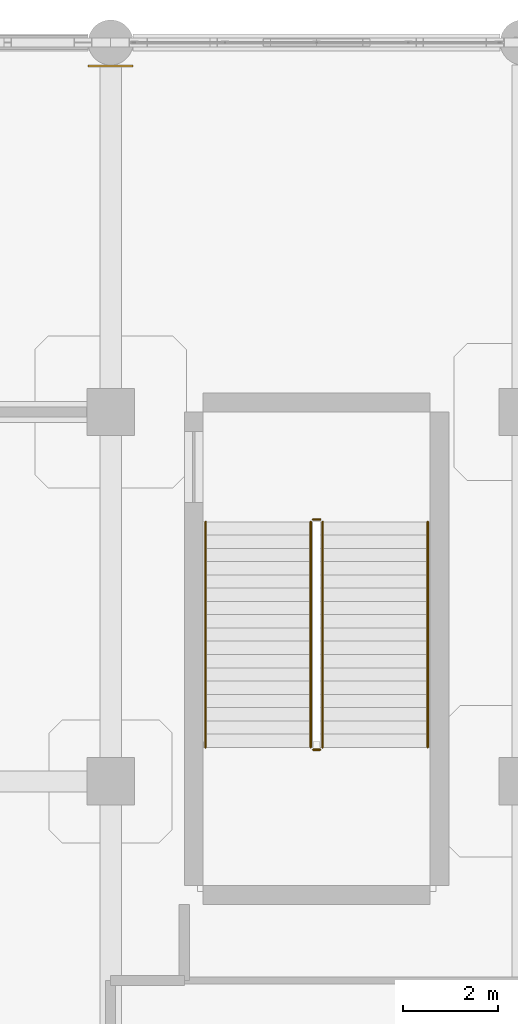
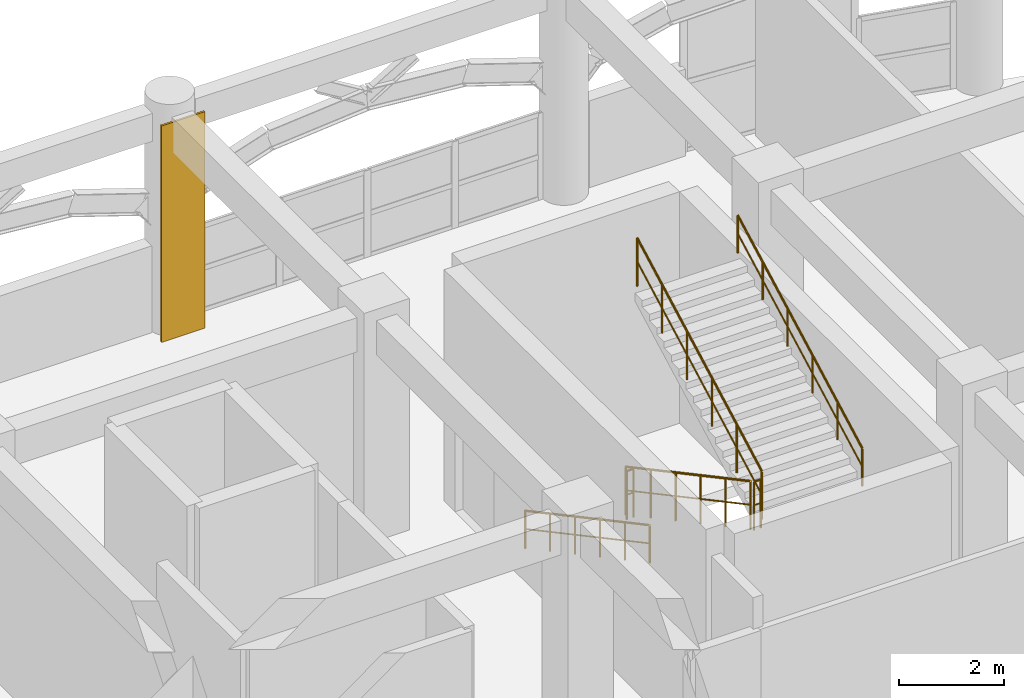
# One storey, part 112 of 114: 6 railings, 1 covering.
"""IFC4 building model written with IfcOpenShell, lengths in metres."""

from ifc_helpers import new_model, si_unit, derived_unit, direction, frame, origin, origin_2d, place, context, subcontext, project, spatial, rectangle, circle, extrude, material, layer, layer_set, type_object, element, save


model = new_model("IFC4")

# Units and contexts
model_context = context("Model", 3, precision=1e-05, world=origin(), true_north=direction((0.0, 1.0)))
body_context = subcontext(model_context, "Body", "Model", "MODEL_VIEW")
ifc_project = project(units=[si_unit("LENGTHUNIT", "METRE"), si_unit("AREAUNIT", "SQUARE_METRE"), si_unit("VOLUMEUNIT", "CUBIC_METRE"), si_unit("PLANEANGLEUNIT", "RADIAN"), si_unit("MASSUNIT", "GRAM", prefix="KILO"), derived_unit("THERMALTRANSMITTANCEUNIT", [(si_unit("MASSUNIT", "GRAM", prefix="KILO"), 1), (si_unit("TIMEUNIT", "SECOND"), -3), (si_unit("THERMODYNAMICTEMPERATUREUNIT", "KELVIN"), -1)])], contexts=[model_context])

# Site, building, storey
site_placement = place(None, origin())
site = spatial("IfcSite", under=ifc_project, at=site_placement, CompositionType="ELEMENT")
building_placement = place(site_placement, origin())
building = spatial("IfcBuilding", under=site, at=building_placement, Name="Qinzheling Arcade Emporium", CompositionType="ELEMENT")
storey_placement = place(building_placement, frame((0.0, 0.0, 6.0)))
storey = spatial("IfcBuildingStorey", under=building, at=storey_placement, Name="L02", CompositionType="ELEMENT", Elevation=6.0)

# Covering
ifc_material_1 = material(Name="Glazed cream terracotta rainscreen cladding", Category="masonry")
ifc_layer = layer(ifc_material_1, 0.044921875, Name="Glazed cream terracotta rainscreen cladding", Category="masonry")
ifc_layer_set = layer_set([ifc_layer], Name="Glazed cream terracotta rainscreen cladding")
covering_type = type_object("IfcCoveringType", Name="Glazed Terracotta Pier Cladding Casing 45", PredefinedType="CLADDING", material=ifc_layer_set)
covering_placement = place(storey_placement, frame((113.10009765625, 114.10009765625, 0.0), z_axis=(0.0, 0.0, 1.0), x_axis=(1.0, 0.0, 0.0)))
element("IfcCovering", 1, at=covering_placement, inside=storey, type_object=covering_type, Name="Terracotta Pier Cladding L02 7", PredefinedType="CLADDING", context=body_context, shape_type="SweptSolid", body=[
    extrude(rectangle(XDim=0.949951171875, YDim=0.044921875, at=origin_2d()), origin(), (0.0, 0.0, 1.0), 5.050048828125),
])

# Railings
ifc_material_2 = material(Name="Galvanised powder-coated tubular steel", Category="steel")
railing_type_1 = type_object("IfcRailingType", Name="Painted Steel Stairwell Guard Railing 1150", PredefinedType="GUARDRAIL", material=ifc_material_2)
railing_1_placement = place(storey_placement, frame((117.324951171875, 104.47998046875, 0.14990234375)))
element("IfcRailing", 2, at=railing_1_placement, inside=storey, type_object=railing_type_1, Name="L02 ST08 stair guard 1", PredefinedType="GUARDRAIL", context=body_context, shape_type="SweptSolid", body=[
    extrude(circle(Radius=0.02392578125, at=origin_2d()), frame((0.0, 0.0, 1.1259765625), z_axis=(0.0, -0.881476609435, 0.47222768557), x_axis=(1.0, 0.0, 0.0)), (0.0, 0.0, 1.0), 5.400146484375),
    extrude(circle(Radius=0.01611328125, at=origin_2d()), frame((0.0, 0.0, 0.574951171875), z_axis=(0.0, -0.881476609435, 0.47222768557), x_axis=(1.0, 0.0, 0.0)), (0.0, 0.0, 1.0), 5.400146484375),
    extrude(circle(Radius=0.02099609375, at=origin_2d()), origin(), (0.0, 0.0, 1.0), 1.101806640625),
    extrude(circle(Radius=0.02099609375, at=origin_2d()), frame((0.0, -0.951904296875, 0.510009765625)), (0.0, 0.0, 1.0), 1.101806640625),
    extrude(circle(Radius=0.02099609375, at=origin_2d()), frame((0.0, -1.904052734375, 1.02001953125)), (0.0, 0.0, 1.0), 1.101806640625),
    extrude(circle(Radius=0.02099609375, at=origin_2d()), frame((0.0, -2.85595703125, 1.530029296875)), (0.0, 0.0, 1.0), 1.101806640625),
    extrude(circle(Radius=0.02099609375, at=origin_2d()), frame((0.0, -3.80810546875, 2.0400390625)), (0.0, 0.0, 1.0), 1.101806640625),
    extrude(circle(Radius=0.02099609375, at=origin_2d()), frame((0.0, -4.760009765625, 2.550048828125)), (0.0, 0.0, 1.0), 1.101806640625),
])
railing_2_placement = place(storey_placement, frame((117.375, 99.669921875, 2.699951171875)))
element("IfcRailing", 3, at=railing_2_placement, inside=storey, type_object=railing_type_1, Name="L02 ST08 stair guard 2", PredefinedType="GUARDRAIL", context=body_context, shape_type="SweptSolid", body=[
    extrude(circle(Radius=0.02392578125, at=origin_2d()), frame((0.0, 0.0, 1.1259765625), z_axis=(1.0, 0.0, 0.0), x_axis=(0.0, 1.0, 0.0)), (0.0, 0.0, 1.0), 0.14990234375),
    extrude(circle(Radius=0.01611328125, at=origin_2d()), frame((0.0, 0.0, 0.574951171875), z_axis=(1.0, 0.0, 0.0), x_axis=(0.0, 1.0, 0.0)), (0.0, 0.0, 1.0), 0.14990234375),
    extrude(circle(Radius=0.02099609375, at=origin_2d()), origin(), (0.0, 0.0, 1.0), 1.101806640625),
    extrude(circle(Radius=0.02099609375, at=origin_2d()), frame((0.14990234375, 0.0, 0.0)), (0.0, 0.0, 1.0), 1.101806640625),
])
railing_3_placement = place(storey_placement, frame((117.574951171875, 99.719970703125, 2.85009765625)))
element("IfcRailing", 4, at=railing_3_placement, inside=storey, type_object=railing_type_1, Name="L02 ST08 stair guard 3", PredefinedType="GUARDRAIL", context=body_context, shape_type="SweptSolid", body=[
    extrude(circle(Radius=0.02392578125, at=origin_2d()), frame((0.0, 0.0, 1.1259765625), z_axis=(0.0, 0.881495428514, 0.472192555542), x_axis=(-1.0, 0.0, 0.0)), (0.0, 0.0, 1.0), 5.39990234375),
    extrude(circle(Radius=0.01611328125, at=origin_2d()), frame((0.0, 0.0, 0.574951171875), z_axis=(0.0, 0.881495428514, 0.472192555542), x_axis=(-1.0, 0.0, 0.0)), (0.0, 0.0, 1.0), 5.39990234375),
    extrude(circle(Radius=0.02099609375, at=origin_2d()), origin(), (0.0, 0.0, 1.0), 1.101806640625),
    extrude(circle(Radius=0.02099609375, at=origin_2d()), frame((0.0, 0.951904296875, 0.510009765625)), (0.0, 0.0, 1.0), 1.101806640625),
    extrude(circle(Radius=0.02099609375, at=origin_2d()), frame((0.0, 1.904052734375, 1.02001953125)), (0.0, 0.0, 1.0), 1.101806640625),
    extrude(circle(Radius=0.02099609375, at=origin_2d()), frame((0.0, 2.85595703125, 1.52978515625)), (0.0, 0.0, 1.0), 1.101806640625),
    extrude(circle(Radius=0.02099609375, at=origin_2d()), frame((0.0, 3.80810546875, 2.039794921875)), (0.0, 0.0, 1.0), 1.101806640625),
    extrude(circle(Radius=0.02099609375, at=origin_2d()), frame((0.0, 4.760009765625, 2.5498046875)), (0.0, 0.0, 1.0), 1.101806640625),
])
railing_4_placement = place(storey_placement, frame((117.375, 104.530029296875, 0.0)))
element("IfcRailing", 5, at=railing_4_placement, inside=storey, type_object=railing_type_1, Name="L02 ST08 stair guard 4", PredefinedType="GUARDRAIL", context=body_context, shape_type="SweptSolid", body=[
    extrude(circle(Radius=0.02392578125, at=origin_2d()), frame((0.0, 0.0, 1.1259765625), z_axis=(1.0, 0.0, 0.0), x_axis=(0.0, 1.0, 0.0)), (0.0, 0.0, 1.0), 0.14990234375),
    extrude(circle(Radius=0.01611328125, at=origin_2d()), frame((0.0, 0.0, 0.574951171875), z_axis=(1.0, 0.0, 0.0), x_axis=(0.0, 1.0, 0.0)), (0.0, 0.0, 1.0), 0.14990234375),
    extrude(circle(Radius=0.02099609375, at=origin_2d()), origin(), (0.0, 0.0, 1.0), 1.101806640625),
    extrude(circle(Radius=0.02099609375, at=origin_2d()), frame((0.14990234375, 0.0, 0.0)), (0.0, 0.0, 1.0), 1.101806640625),
])
ifc_material_3 = material(Name="Brushed stainless steel 304", Category="steel")
railing_type_2 = type_object("IfcRailingType", Name="Stainless Steel Wall Handrail 900", PredefinedType="HANDRAIL", material=ifc_material_3)
railing_5_placement = place(storey_placement, frame((115.10498046875, 104.47998046875, 0.14990234375)))
element("IfcRailing", 6, at=railing_5_placement, inside=storey, type_object=railing_type_2, Name="L02 ST08 stair handrail 1", PredefinedType="HANDRAIL", context=body_context, shape_type="SweptSolid", body=[
    extrude(circle(Radius=0.02392578125, at=origin_2d()), frame((0.0, 0.0, 0.8759765625), z_axis=(0.0, -0.881476609435, 0.47222768557), x_axis=(1.0, 0.0, 0.0)), (0.0, 0.0, 1.0), 5.400146484375),
    extrude(circle(Radius=0.01611328125, at=origin_2d()), frame((0.0, 0.0, 0.449951171875), z_axis=(0.0, -0.881476609435, 0.47222768557), x_axis=(1.0, 0.0, 0.0)), (0.0, 0.0, 1.0), 5.400146484375),
    extrude(circle(Radius=0.02099609375, at=origin_2d()), origin(), (0.0, 0.0, 1.0), 0.851806640625),
    extrude(circle(Radius=0.02099609375, at=origin_2d()), frame((0.0, -0.951904296875, 0.510009765625)), (0.0, 0.0, 1.0), 0.851806640625),
    extrude(circle(Radius=0.02099609375, at=origin_2d()), frame((0.0, -1.904052734375, 1.02001953125)), (0.0, 0.0, 1.0), 0.851806640625),
    extrude(circle(Radius=0.02099609375, at=origin_2d()), frame((0.0, -2.85595703125, 1.530029296875)), (0.0, 0.0, 1.0), 0.851806640625),
    extrude(circle(Radius=0.02099609375, at=origin_2d()), frame((0.0, -3.80810546875, 2.0400390625)), (0.0, 0.0, 1.0), 0.851806640625),
    extrude(circle(Radius=0.02099609375, at=origin_2d()), frame((0.0, -4.760009765625, 2.550048828125)), (0.0, 0.0, 1.0), 0.851806640625),
])
railing_6_placement = place(storey_placement, frame((119.794921875, 99.719970703125, 2.85009765625)))
element("IfcRailing", 7, at=railing_6_placement, inside=storey, type_object=railing_type_2, Name="L02 ST08 stair handrail 2", PredefinedType="HANDRAIL", context=body_context, shape_type="SweptSolid", body=[
    extrude(circle(Radius=0.02392578125, at=origin_2d()), frame((0.0, 0.0, 0.8759765625), z_axis=(0.0, 0.881495428514, 0.472192555542), x_axis=(-1.0, 0.0, 0.0)), (0.0, 0.0, 1.0), 5.39990234375),
    extrude(circle(Radius=0.01611328125, at=origin_2d()), frame((0.0, 0.0, 0.449951171875), z_axis=(0.0, 0.881495428514, 0.472192555542), x_axis=(-1.0, 0.0, 0.0)), (0.0, 0.0, 1.0), 5.39990234375),
    extrude(circle(Radius=0.02099609375, at=origin_2d()), origin(), (0.0, 0.0, 1.0), 0.851806640625),
    extrude(circle(Radius=0.02099609375, at=origin_2d()), frame((0.0, 0.951904296875, 0.510009765625)), (0.0, 0.0, 1.0), 0.851806640625),
    extrude(circle(Radius=0.02099609375, at=origin_2d()), frame((0.0, 1.904052734375, 1.02001953125)), (0.0, 0.0, 1.0), 0.851806640625),
    extrude(circle(Radius=0.02099609375, at=origin_2d()), frame((0.0, 2.85595703125, 1.52978515625)), (0.0, 0.0, 1.0), 0.851806640625),
    extrude(circle(Radius=0.02099609375, at=origin_2d()), frame((0.0, 3.80810546875, 2.039794921875)), (0.0, 0.0, 1.0), 0.851806640625),
    extrude(circle(Radius=0.02099609375, at=origin_2d()), frame((0.0, 4.760009765625, 2.5498046875)), (0.0, 0.0, 1.0), 0.851806640625),
])

save(model, "model.ifc")
